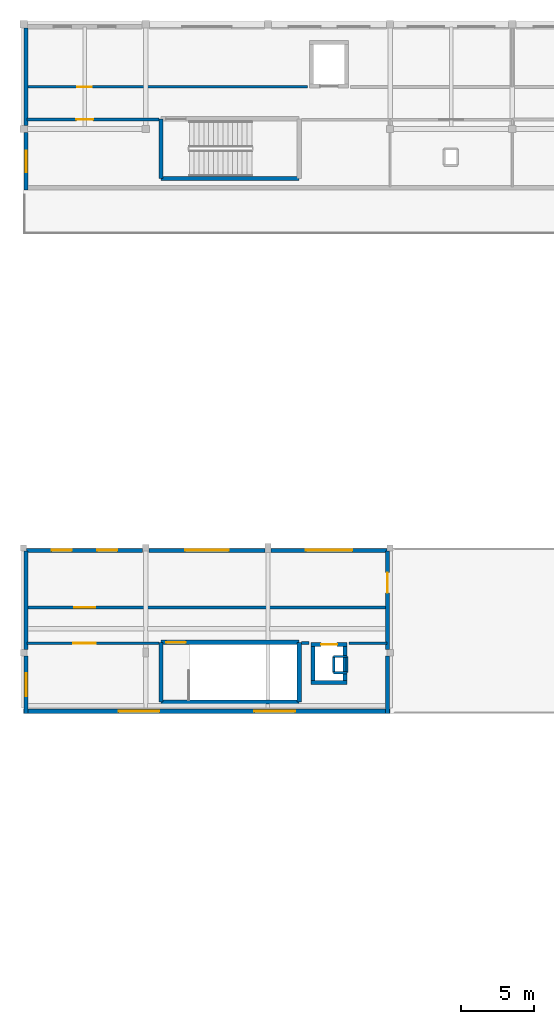
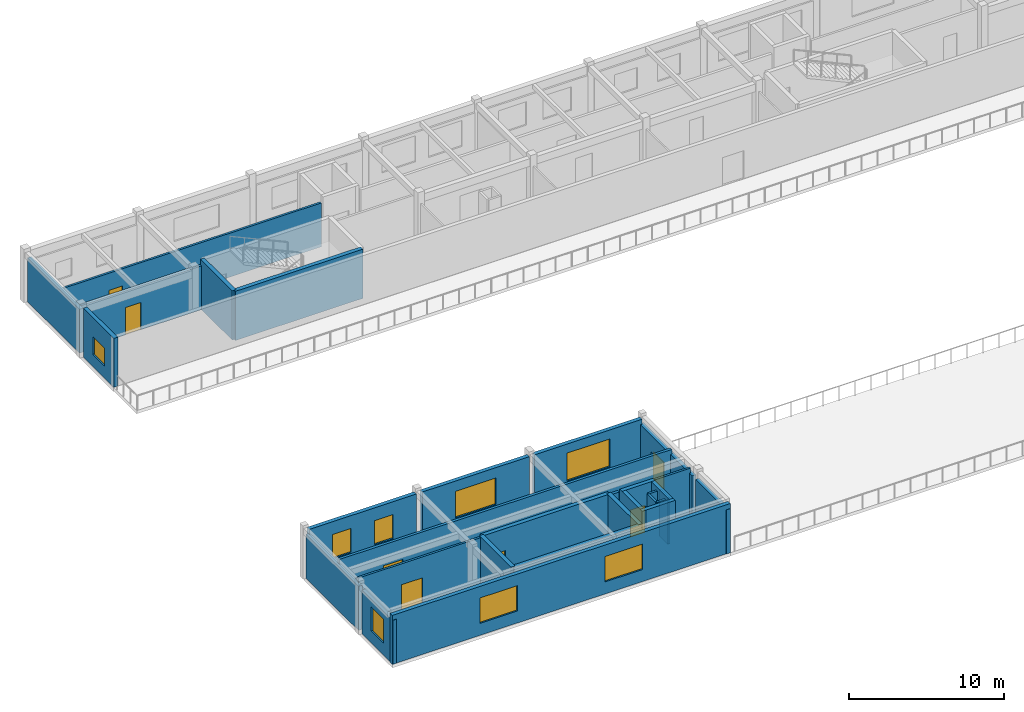
# One storey, part 4 of 14: 30 walls, 8 windows, 7 doors, 15 openings.
"""IFC4 building model written with IfcOpenShell, lengths in metres."""

from ifc_helpers import new_model, si_unit, direction, frame, frame_2d, origin, place, context, subcontext, project, spatial, rectangle, extrude, material, layer, layer_set, type_object, element, fill, save


model = new_model("IFC4")

# Units and contexts
model_context = context("Model", 3, precision=1e-05, world=origin(), true_north=direction((0.0, 1.0)))
body_context = subcontext(model_context, "Body", "Model", "MODEL_VIEW")
ifc_project = project(units=[si_unit("LENGTHUNIT", "METRE"), si_unit("AREAUNIT", "SQUARE_METRE"), si_unit("VOLUMEUNIT", "CUBIC_METRE"), si_unit("PLANEANGLEUNIT", "RADIAN"), si_unit("MASSUNIT", "GRAM", prefix="KILO")], contexts=[model_context])

# Site, building, storey
site_placement = place(None, origin())
site = spatial("IfcSite", under=ifc_project, at=site_placement, CompositionType="ELEMENT")
building_placement = place(site_placement, origin())
building = spatial("IfcBuilding", under=site, at=building_placement, Name="Malvenik Polytechnic", CompositionType="ELEMENT")
storey_placement = place(building_placement, frame((0.0, 0.0, 21.89990234375)))
storey = spatial("IfcBuildingStorey", under=building, at=storey_placement, Name="L05", CompositionType="ELEMENT", Elevation=21.89990234375)

# Wall
ifc_material_1 = material(Name="Concrete C35/45", Category="concrete")
ifc_layer_1 = layer(ifc_material_1, 0.280029296875)
ifc_layer_set_1 = layer_set([ifc_layer_1], Name="Concrete C35/45")
wall_type_1 = type_object("IfcWallType", Name="ARC-CW-S280", PredefinedType="SHEAR", material=ifc_layer_set_1)
wall_1_placement = place(storey_placement, frame((22.239990234375, 84.35009765625, 0.0), z_axis=(0.0, 0.0, 1.0), x_axis=(-1.0, 0.0, 0.0)))
element("IfcWall", 1, at=wall_1_placement, inside=storey, type_object=wall_type_1, Name="Lift Shaft Shear Wall LP-01 L05 -Y", PredefinedType="SHEAR", context=body_context, shape_type="SweptSolid", body=[
    extrude(rectangle(XDim=2.47998046875, YDim=0.280029296875, at=frame_2d((1.239990234375, 0.0))), origin(), (0.0, 0.0, 1.0), 3.940185546875),
])

# Wall, opening, door
wall_2_placement = place(storey_placement, frame((19.760009765625, 86.949951171875, 0.0), z_axis=(0.0, 0.0, 1.0), x_axis=(1.0, 0.0, 0.0)))
wall_2 = element("IfcWall", 2, at=wall_2_placement, inside=storey, type_object=wall_type_1, Name="Lift Shaft Shear Wall LP-01 L05 +Y", PredefinedType="SHEAR", context=body_context, shape_type="SweptSolid", body=[
    extrude(rectangle(XDim=2.47998046875, YDim=0.280029296875, at=frame_2d((1.239990234375, 0.0))), origin(), (0.0, 0.0, 1.0), 3.940185546875),
])
opening_1_placement = place(wall_2_placement, frame((0.68994140625, 0.0, 0.0)))
opening_1 = element("IfcOpeningElement", 3, at=opening_1_placement, cuts=wall_2, Name="Opening LD-01", PredefinedType="OPENING", context=body_context, shape_type="SweptSolid", body=[
    extrude(rectangle(XDim=1.10009765625, YDim=2.14990234375, at=frame_2d((0.550048828125, 1.074951171875))), frame((0.0, 0.14990234375, 0.0), z_axis=(0.0, -1.0, 0.0), x_axis=(1.0, 0.0, 0.0)), (0.0, 0.0, 1.0), 0.300048828125),
])
ifc_material_2 = material(Name="Stainless steel fire-rated sliding lift landing door", Category="steel")
door_type_1 = type_object("IfcDoorType", Name="ARC-LDR-LD-01", OperationType="NOTDEFINED", PredefinedType="DOOR", material=ifc_material_2)
door_1_placement = place(opening_1_placement, origin())
door_1 = element("IfcDoor", 4, at=door_1_placement, inside=storey, type_object=door_type_1, Name="Lift Sliding Landing Door LP-01 L05", OperationType="DOUBLE_DOOR_SLIDING", OverallHeight=2.14990234375, OverallWidth=1.10009765625, PredefinedType="DOOR", context=body_context, shape_type="SweptSolid", body=[
    extrude(rectangle(XDim=1.10009765625, YDim=2.14990234375, at=frame_2d((0.550048828125, 1.074951171875))), frame((0.0, 0.02490234375, 0.0), z_axis=(0.0, -1.0, 0.0), x_axis=(1.0, 0.0, 0.0)), (0.0, 0.0, 1.0), 0.050048828125),
])
fill(opening_1, door_1)

# Walls
for number, where, z_axis, x_axis, name in (
    (5, (19.89990234375, 84.2099609375, 0.0), (0.0, 0.0, 1.0), (0.0, 1.0, 0.0), "Lift Shaft Shear Wall LP-01 L05 -X"),
    (6, (22.10009765625, 87.090087890625, 0.0), (0.0, 0.0, 1.0), (0.0, -1.0, 0.0), "Lift Shaft Shear Wall LP-01 L05 +X"),
):
    element("IfcWall", number, at=place(storey_placement, frame(where, z_axis=z_axis, x_axis=x_axis)), inside=storey, type_object=wall_type_1, Name=name, PredefinedType="SHEAR", context=body_context, shape_type="SweptSolid", body=[
        extrude(rectangle(XDim=2.880126953125, YDim=0.280029296875, at=frame_2d((1.43994140625, 0.0))), origin(), (0.0, 0.0, 1.0), 3.940185546875),
    ])
ifc_layer_2 = layer(ifc_material_1, 0.300048828125)
ifc_layer_set_2 = layer_set([ifc_layer_2], Name="Concrete C35/45")
wall_type_2 = type_object("IfcWallType", Name="ARC-CW-S300", PredefinedType="SHEAR", material=ifc_layer_set_2)
wall_3_placement = place(storey_placement, frame((9.449951171875, 119.0, 0.0), z_axis=(0.0, 0.0, 1.0), x_axis=(0.0, 1.0, 0.0)))
element("IfcWall", 7, at=wall_3_placement, inside=storey, type_object=wall_type_2, Name="Stair Core Shear Wall ST-01 L05 NEAR", PredefinedType="SHEAR", context=body_context, shape_type="SweptSolid", body=[
    extrude(rectangle(XDim=4.10009765625, YDim=0.300048828125, at=frame_2d((2.050048828125, 0.0))), origin(), (0.0, 0.0, 1.0), 3.880126953125),
])
wall_4_placement = place(storey_placement, frame((18.949951171875, 119.0, 0.0), z_axis=(0.0, 0.0, 1.0), x_axis=(-1.0, 0.0, 0.0)))
element("IfcWall", 8, at=wall_4_placement, inside=storey, type_object=wall_type_2, Name="Stair Core Shear Wall ST-01 L05 LEFT", PredefinedType="SHEAR", context=body_context, shape_type="SweptSolid", body=[
    extrude(rectangle(XDim=9.5, YDim=0.300048828125, at=frame_2d((4.75, 0.0))), origin(), (0.0, 0.0, 1.0), 3.880126953125),
])
wall_5_placement = place(storey_placement, frame((9.449951171875, 83.0, 0.0), z_axis=(0.0, 0.0, 1.0), x_axis=(0.0, 1.0, 0.0)))
element("IfcWall", 9, at=wall_5_placement, inside=storey, type_object=wall_type_2, Name="Stair Core Shear Wall ST-04 L05 NEAR", PredefinedType="SHEAR", context=body_context, shape_type="SweptSolid", body=[
    extrude(rectangle(XDim=4.10009765625, YDim=0.300048828125, at=frame_2d((2.050048828125, 0.0))), origin(), (0.0, 0.0, 1.0), 3.940185546875),
])

# Wall, opening, door
wall_6_placement = place(storey_placement, frame((9.449951171875, 87.10009765625, 0.0), z_axis=(0.0, 0.0, 1.0), x_axis=(1.0, 0.0, 0.0)))
wall_6 = element("IfcWall", 10, at=wall_6_placement, inside=storey, type_object=wall_type_2, Name="Stair Core Shear Wall ST-04 L05 RGHT", PredefinedType="SHEAR", context=body_context, shape_type="SweptSolid", body=[
    extrude(rectangle(XDim=9.5, YDim=0.300048828125, at=frame_2d((4.75, 0.0))), origin(), (0.0, 0.0, 1.0), 3.940185546875),
])
opening_2_placement = place(wall_6_placement, frame((0.35009765625, 0.0, 0.0)))
opening_2 = element("IfcOpeningElement", 11, at=opening_2_placement, cuts=wall_6, Name="Opening SD-01", PredefinedType="OPENING", context=body_context, shape_type="SweptSolid", body=[
    extrude(rectangle(XDim=1.35009765625, YDim=2.199951171875, at=frame_2d((0.675048828125, 1.10009765625))), frame((0.0, 0.16015625, 0.0), z_axis=(0.0, -1.0, 0.0), x_axis=(1.0, 0.0, 0.0)), (0.0, 0.0, 1.0), 0.320068359375),
])
ifc_material_3 = material(Name="Fire-rated steel stair enclosure door", Category="steel")
door_type_2 = type_object("IfcDoorType", Name="ARC-IDR-SD-01", OperationType="NOTDEFINED", PredefinedType="DOOR", material=ifc_material_3)
door_2_placement = place(opening_2_placement, origin())
door_2 = element("IfcDoor", 12, at=door_2_placement, inside=storey, type_object=door_type_2, Name="Fire Stair Door ST-04 L05", OperationType="SINGLE_SWING_RIGHT", OverallHeight=2.199951171875, OverallWidth=1.35009765625, PredefinedType="DOOR", context=body_context, shape_type="SweptSolid", body=[
    extrude(rectangle(XDim=1.35009765625, YDim=2.199951171875, at=frame_2d((0.675048828125, 1.10009765625))), frame((0.0, 0.02490234375, 0.0), z_axis=(0.0, -1.0, 0.0), x_axis=(1.0, 0.0, 0.0)), (0.0, 0.0, 1.0), 0.050048828125),
])
fill(opening_2, door_2)

# Walls
wall_7_placement = place(storey_placement, frame((18.949951171875, 87.10009765625, 0.0), z_axis=(0.0, 0.0, 1.0), x_axis=(0.0, -1.0, 0.0)))
element("IfcWall", 13, at=wall_7_placement, inside=storey, type_object=wall_type_2, Name="Stair Core Shear Wall ST-04 L05 FAR", PredefinedType="SHEAR", context=body_context, shape_type="SweptSolid", body=[
    extrude(rectangle(XDim=4.10009765625, YDim=0.300048828125, at=frame_2d((2.050048828125, 0.0))), origin(), (0.0, 0.0, 1.0), 3.940185546875),
])
wall_8_placement = place(storey_placement, frame((18.949951171875, 83.0, 0.0), z_axis=(0.0, 0.0, 1.0), x_axis=(-1.0, 0.0, 0.0)))
element("IfcWall", 14, at=wall_8_placement, inside=storey, type_object=wall_type_2, Name="Stair Core Shear Wall ST-04 L05 LEFT", PredefinedType="SHEAR", context=body_context, shape_type="SweptSolid", body=[
    extrude(rectangle(XDim=9.5, YDim=0.300048828125, at=frame_2d((4.75, 0.0))), origin(), (0.0, 0.0, 1.0), 3.940185546875),
])

# Wall, opening, window
ifc_material_4 = material(Name="Brick masonry M15", Category="masonry")
ifc_layer_3 = layer(ifc_material_4, 0.2900390625)
ifc_layer_set_3 = layer_set([ifc_layer_3], Name="Brick masonry M15")
wall_type_3 = type_object("IfcWallType", Name="ARC-EW-290", PredefinedType="SOLIDWALL", material=ifc_layer_set_3)
wall_9_placement = place(storey_placement, frame((0.169921875, 118.199951171875, 0.0), z_axis=(0.0, 0.0, 1.0), x_axis=(0.0, 1.0, 0.0)))
wall_9 = element("IfcWall", 15, at=wall_9_placement, inside=storey, type_object=wall_type_3, Name="External Facade Wall EW-04 L05 #467", PredefinedType="SOLIDWALL", context=body_context, shape_type="SweptSolid", body=[
    extrude(rectangle(XDim=3.9521484375, YDim=0.2900390625, at=frame_2d((1.97607421875, 0.0))), origin(), (0.0, 0.0, 1.0), 3.860107421875),
])
opening_3_placement = place(wall_9_placement, frame((1.22607421875, 0.0, 0.949951171875)))
opening_3 = element("IfcOpeningElement", 16, at=opening_3_placement, cuts=wall_9, Name="Opening W-15", PredefinedType="OPENING", context=body_context, shape_type="SweptSolid", body=[
    extrude(rectangle(XDim=1.5, YDim=1.39990234375, at=frame_2d((0.75, 0.699951171875))), frame((0.0, 0.155029296875, 0.0), z_axis=(0.0, -1.0, 0.0), x_axis=(1.0, 0.0, 0.0)), (0.0, 0.0, 1.0), 0.31005859375),
])
ifc_material_5 = material(Name="Thermally broken aluminium frame with low-E double glazing", Category="aluminium")
window_type_1 = type_object("IfcWindowType", Name="ARC-WIN-W-15", PartitioningType="SINGLE_PANEL", PredefinedType="WINDOW", material=ifc_material_5)
window_1_placement = place(opening_3_placement, origin())
window_1 = element("IfcWindow", 17, at=window_1_placement, inside=storey, type_object=window_type_1, Name="Punched Window W-15 L05 #496", OverallHeight=1.39990234375, OverallWidth=1.5, PartitioningType="SINGLE_PANEL", PredefinedType="WINDOW", context=body_context, shape_type="SweptSolid", body=[
    extrude(rectangle(XDim=1.5, YDim=1.39990234375, at=frame_2d((0.75, 0.699951171875))), frame((0.0, 0.030029296875, 0.0), z_axis=(0.0, -1.0, 0.0), x_axis=(1.0, 0.0, 0.0)), (0.0, 0.0, 1.0), 0.06005859375),
])
fill(opening_3, window_1)

# Wall
wall_10_placement = place(storey_placement, frame((0.169921875, 122.64794921875, 0.0), z_axis=(0.0, 0.0, 1.0), x_axis=(0.0, 1.0, 0.0)))
element("IfcWall", 18, at=wall_10_placement, inside=storey, type_object=wall_type_3, Name="External Facade Wall EW-04 L05 #468", PredefinedType="SOLIDWALL", context=body_context, shape_type="SweptSolid", body=[
    extrude(rectangle(XDim=6.7041015625, YDim=0.2900390625, at=frame_2d((3.35205078125, 0.0))), origin(), (0.0, 0.0, 1.0), 3.460205078125),
])

# Wall, opening, window
wall_11_placement = place(storey_placement, frame((0.169921875, 82.199951171875, 0.0), z_axis=(0.0, 0.0, 1.0), x_axis=(0.0, 1.0, 0.0)))
wall_11 = element("IfcWall", 19, at=wall_11_placement, inside=storey, type_object=wall_type_3, Name="External Facade Wall EW-04 L05 #483", PredefinedType="SOLIDWALL", context=body_context, shape_type="SweptSolid", body=[
    extrude(rectangle(XDim=3.97705078125, YDim=0.2900390625, at=frame_2d((1.988525390625, 0.0))), origin(), (0.0, 0.0, 1.0), 3.47509765625),
])
opening_4_placement = place(wall_11_placement, frame((1.1884765625, 0.0, 0.949951171875)))
opening_4 = element("IfcOpeningElement", 20, at=opening_4_placement, cuts=wall_11, Name="Opening W-05", PredefinedType="OPENING", context=body_context, shape_type="SweptSolid", body=[
    extrude(rectangle(XDim=1.60009765625, YDim=1.89990234375, at=frame_2d((0.800048828125, 0.949951171875))), frame((0.0, 0.155029296875, 0.0), z_axis=(0.0, -1.0, 0.0), x_axis=(1.0, 0.0, 0.0)), (0.0, 0.0, 1.0), 0.31005859375),
])
window_type_2 = type_object("IfcWindowType", Name="ARC-WIN-W-05", PartitioningType="SINGLE_PANEL", PredefinedType="WINDOW", material=ifc_material_5)
window_2_placement = place(opening_4_placement, origin())
window_2 = element("IfcWindow", 21, at=window_2_placement, inside=storey, type_object=window_type_2, Name="Punched Window W-05 L05 #518", OverallHeight=1.89990234375, OverallWidth=1.60009765625, PartitioningType="SINGLE_PANEL", PredefinedType="WINDOW", context=body_context, shape_type="SweptSolid", body=[
    extrude(rectangle(XDim=1.60009765625, YDim=1.89990234375, at=frame_2d((0.800048828125, 0.949951171875))), frame((0.0, 0.030029296875, 0.0), z_axis=(0.0, -1.0, 0.0), x_axis=(1.0, 0.0, 0.0)), (0.0, 0.0, 1.0), 0.06005859375),
])
fill(opening_4, window_2)

# Wall
wall_12_placement = place(storey_placement, frame((0.169921875, 86.623046875, 0.0), z_axis=(0.0, 0.0, 1.0), x_axis=(0.0, 1.0, 0.0)))
element("IfcWall", 22, at=wall_12_placement, inside=storey, type_object=wall_type_3, Name="External Facade Wall EW-04 L05 #484", PredefinedType="SOLIDWALL", context=body_context, shape_type="SweptSolid", body=[
    extrude(rectangle(XDim=6.779052734375, YDim=0.2900390625, at=frame_2d((3.3896484375, 0.0))), origin(), (0.0, 0.0, 1.0), 3.47509765625),
])

# Wall, openings, windows
wall_13_placement = place(storey_placement, frame((0.197998046875, 93.429931640625, 0.0), z_axis=(0.0, 0.0, 1.0), x_axis=(1.0, 0.0, 0.0)))
wall_13 = element("IfcWall", 23, at=wall_13_placement, inside=storey, type_object=wall_type_3, Name="External Facade Wall EW-04 L05 #485", PredefinedType="SOLIDWALL", context=body_context, shape_type="SweptSolid", body=[
    extrude(rectangle(XDim=7.97900390625, YDim=0.2900390625, at=frame_2d((3.989501953125, 0.0))), origin(), (0.0, 0.0, 1.0), 3.860107421875),
])
opening_5_placement = place(wall_13_placement, frame((1.726318359375, 0.0, 0.949951171875)))
opening_5 = element("IfcOpeningElement", 24, at=opening_5_placement, cuts=wall_13, Name="Opening W-06", PredefinedType="OPENING", context=body_context, shape_type="SweptSolid", body=[
    extrude(rectangle(XDim=1.39990234375, YDim=1.89990234375, at=frame_2d((0.699951171875, 0.949951171875))), frame((0.0, 0.155029296875, 0.0), z_axis=(0.0, -1.0, 0.0), x_axis=(1.0, 0.0, 0.0)), (0.0, 0.0, 1.0), 0.31005859375),
])
opening_6_placement = place(wall_13_placement, frame((4.8525390625, 0.0, 0.949951171875)))
opening_6 = element("IfcOpeningElement", 25, at=opening_6_placement, cuts=wall_13, Name="Opening W-06", PredefinedType="OPENING", context=body_context, shape_type="SweptSolid", body=[
    extrude(rectangle(XDim=1.39990234375, YDim=1.89990234375, at=frame_2d((0.699951171875, 0.949951171875))), frame((0.0, 0.155029296875, 0.0), z_axis=(0.0, -1.0, 0.0), x_axis=(1.0, 0.0, 0.0)), (0.0, 0.0, 1.0), 0.31005859375),
])
window_type_3 = type_object("IfcWindowType", Name="ARC-WIN-W-06", PartitioningType="SINGLE_PANEL", PredefinedType="WINDOW", material=ifc_material_5)
window_3_placement = place(opening_5_placement, origin())
window_3 = element("IfcWindow", 26, at=window_3_placement, inside=storey, type_object=window_type_3, Name="Punched Window W-06 L05 #519", OverallHeight=1.89990234375, OverallWidth=1.39990234375, PartitioningType="SINGLE_PANEL", PredefinedType="WINDOW", context=body_context, shape_type="SweptSolid", body=[
    extrude(rectangle(XDim=1.39990234375, YDim=1.89990234375, at=frame_2d((0.699951171875, 0.949951171875))), frame((0.0, 0.030029296875, 0.0), z_axis=(0.0, -1.0, 0.0), x_axis=(1.0, 0.0, 0.0)), (0.0, 0.0, 1.0), 0.06005859375),
])
fill(opening_5, window_3)
window_4_placement = place(opening_6_placement, origin())
window_4 = element("IfcWindow", 27, at=window_4_placement, inside=storey, type_object=window_type_3, Name="Punched Window W-06 L05 #520", OverallHeight=1.89990234375, OverallWidth=1.39990234375, PartitioningType="SINGLE_PANEL", PredefinedType="WINDOW", context=body_context, shape_type="SweptSolid", body=[
    extrude(rectangle(XDim=1.39990234375, YDim=1.89990234375, at=frame_2d((0.699951171875, 0.949951171875))), frame((0.0, 0.030029296875, 0.0), z_axis=(0.0, -1.0, 0.0), x_axis=(1.0, 0.0, 0.0)), (0.0, 0.0, 1.0), 0.06005859375),
])
fill(opening_6, window_4)

# Wall, opening, window
wall_14_placement = place(storey_placement, frame((8.623046875, 93.429931640625, 0.0), z_axis=(0.0, 0.0, 1.0), x_axis=(1.0, 0.0, 0.0)))
wall_14 = element("IfcWall", 28, at=wall_14_placement, inside=storey, type_object=wall_type_3, Name="External Facade Wall EW-04 L05 #486", PredefinedType="SOLIDWALL", context=body_context, shape_type="SweptSolid", body=[
    extrude(rectangle(XDim=7.97900390625, YDim=0.2900390625, at=frame_2d((3.989501953125, 0.0))), origin(), (0.0, 0.0, 1.0), 3.860107421875),
])
opening_7_placement = place(wall_14_placement, frame((2.489501953125, 0.0, 0.949951171875)))
opening_7 = element("IfcOpeningElement", 29, at=opening_7_placement, cuts=wall_14, Name="Opening W-08", PredefinedType="OPENING", context=body_context, shape_type="SweptSolid", body=[
    extrude(rectangle(XDim=3.0, YDim=2.10009765625, at=frame_2d((1.5, 1.050048828125))), frame((0.0, 0.155029296875, 0.0), z_axis=(0.0, -1.0, 0.0), x_axis=(1.0, 0.0, 0.0)), (0.0, 0.0, 1.0), 0.31005859375),
])
window_type_4 = type_object("IfcWindowType", Name="ARC-WIN-W-08", PartitioningType="SINGLE_PANEL", PredefinedType="WINDOW", material=ifc_material_5)
window_5_placement = place(opening_7_placement, origin())
window_5 = element("IfcWindow", 30, at=window_5_placement, inside=storey, type_object=window_type_4, Name="Punched Window W-08 L05 #521", OverallHeight=2.10009765625, OverallWidth=3.0, PartitioningType="SINGLE_PANEL", PredefinedType="WINDOW", context=body_context, shape_type="SweptSolid", body=[
    extrude(rectangle(XDim=3.0, YDim=2.10009765625, at=frame_2d((1.5, 1.050048828125))), frame((0.0, 0.030029296875, 0.0), z_axis=(0.0, -1.0, 0.0), x_axis=(1.0, 0.0, 0.0)), (0.0, 0.0, 1.0), 0.06005859375),
])
fill(opening_7, window_5)

wall_15_placement = place(storey_placement, frame((16.998046875, 93.429931640625, 0.0), z_axis=(0.0, 0.0, 1.0), x_axis=(1.0, 0.0, 0.0)))
wall_15 = element("IfcWall", 31, at=wall_15_placement, inside=storey, type_object=wall_type_3, Name="External Facade Wall EW-04 L05 #487", PredefinedType="SOLIDWALL", context=body_context, shape_type="SweptSolid", body=[
    extrude(rectangle(XDim=8.00390625, YDim=0.2900390625, at=frame_2d((4.001953125, 0.0))), origin(), (0.0, 0.0, 1.0), 3.860107421875),
])
opening_8_placement = place(wall_15_placement, frame((2.402099609375, 0.0, 0.949951171875)))
opening_8 = element("IfcOpeningElement", 32, at=opening_8_placement, cuts=wall_15, Name="Opening W-09", PredefinedType="OPENING", context=body_context, shape_type="SweptSolid", body=[
    extrude(rectangle(XDim=3.199951171875, YDim=2.199951171875, at=frame_2d((1.60009765625, 1.10009765625))), frame((0.0, 0.155029296875, 0.0), z_axis=(0.0, -1.0, 0.0), x_axis=(1.0, 0.0, 0.0)), (0.0, 0.0, 1.0), 0.31005859375),
])
window_type_5 = type_object("IfcWindowType", Name="ARC-WIN-W-09", PartitioningType="SINGLE_PANEL", PredefinedType="WINDOW", material=ifc_material_5)
window_6_placement = place(opening_8_placement, origin())
window_6 = element("IfcWindow", 33, at=window_6_placement, inside=storey, type_object=window_type_5, Name="Punched Window W-09 L05 #522", OverallHeight=2.199951171875, OverallWidth=3.199951171875, PartitioningType="SINGLE_PANEL", PredefinedType="WINDOW", context=body_context, shape_type="SweptSolid", body=[
    extrude(rectangle(XDim=3.199951171875, YDim=2.199951171875, at=frame_2d((1.60009765625, 1.10009765625))), frame((0.0, 0.030029296875, 0.0), z_axis=(0.0, -1.0, 0.0), x_axis=(1.0, 0.0, 0.0)), (0.0, 0.0, 1.0), 0.06005859375),
])
fill(opening_8, window_6)

# Wall, opening, door
wall_16_placement = place(storey_placement, frame((25.030029296875, 93.402099609375, 0.0), z_axis=(0.0, 0.0, 1.0), x_axis=(0.0, -1.0, 0.0)))
wall_16 = element("IfcWall", 34, at=wall_16_placement, inside=storey, type_object=wall_type_3, Name="External Facade Wall EW-04 L05 #488", PredefinedType="SOLIDWALL", context=body_context, shape_type="SweptSolid", body=[
    extrude(rectangle(XDim=6.779052734375, YDim=0.2900390625, at=frame_2d((3.3896484375, 0.0))), origin(), (0.0, 0.0, 1.0), 3.47509765625),
])
opening_9_placement = place(wall_16_placement, frame((1.501953125, 0.0, 0.0)))
opening_9 = element("IfcOpeningElement", 35, at=opening_9_placement, cuts=wall_16, Name="Opening TD-03", PredefinedType="OPENING", context=body_context, shape_type="SweptSolid", body=[
    extrude(rectangle(XDim=1.39990234375, YDim=2.14990234375, at=frame_2d((0.699951171875, 1.074951171875))), frame((0.0, 0.155029296875, 0.0), z_axis=(0.0, -1.0, 0.0), x_axis=(1.0, 0.0, 0.0)), (0.0, 0.0, 1.0), 0.31005859375),
])
ifc_material_6 = material(Name="Thermally broken glazed aluminium balcony door", Category="aluminium")
door_type_3 = type_object("IfcDoorType", Name="ARC-EDR-TD-03", OperationType="NOTDEFINED", PredefinedType="DOOR", material=ifc_material_6)
door_3_placement = place(opening_9_placement, origin())
door_3 = element("IfcDoor", 36, at=door_3_placement, inside=storey, type_object=door_type_3, Name="External Door TD-03 L05 #49", OperationType="SINGLE_SWING_LEFT", OverallHeight=2.14990234375, OverallWidth=1.39990234375, PredefinedType="DOOR", context=body_context, shape_type="SweptSolid", body=[
    extrude(rectangle(XDim=1.39990234375, YDim=2.14990234375, at=frame_2d((0.699951171875, 1.074951171875))), frame((0.0, 0.02490234375, 0.0), z_axis=(0.0, -1.0, 0.0), x_axis=(1.0, 0.0, 0.0)), (0.0, 0.0, 1.0), 0.050048828125),
])
fill(opening_9, door_3)

# Wall
wall_17_placement = place(storey_placement, frame((25.030029296875, 86.177001953125, 0.0), z_axis=(0.0, 0.0, 1.0), x_axis=(0.0, -1.0, 0.0)))
element("IfcWall", 37, at=wall_17_placement, inside=storey, type_object=wall_type_3, Name="External Facade Wall EW-04 L05 #489", PredefinedType="SOLIDWALL", context=body_context, shape_type="SweptSolid", body=[
    extrude(rectangle(XDim=3.97705078125, YDim=0.2900390625, at=frame_2d((1.988525390625, 0.0))), origin(), (0.0, 0.0, 1.0), 3.47509765625),
])

# Wall, openings, windows
wall_18_placement = place(storey_placement, frame((25.199951171875, 82.3701171875, 0.0), z_axis=(0.0, 0.0, 1.0), x_axis=(-1.0, 0.0, 0.0)))
wall_18 = element("IfcWall", 38, at=wall_18_placement, inside=storey, type_object=wall_type_3, Name="External Facade Wall EW-04 L05 #490", PredefinedType="SOLIDWALL", context=body_context, shape_type="SweptSolid", body=[
    extrude(rectangle(XDim=25.199951171875, YDim=0.2900390625, at=frame_2d((12.60009765625, 0.0))), origin(), (0.0, 0.0, 1.0), 3.860107421875),
])
opening_10_placement = place(wall_18_placement, frame((6.533203125, 0.0, 0.949951171875)))
opening_10 = element("IfcOpeningElement", 39, at=opening_10_placement, cuts=wall_18, Name="Opening W-10", PredefinedType="OPENING", context=body_context, shape_type="SweptSolid", body=[
    extrude(rectangle(XDim=2.800048828125, YDim=2.0, at=frame_2d((1.39990234375, 1.0))), frame((0.0, 0.155029296875, 0.0), z_axis=(0.0, -1.0, 0.0), x_axis=(1.0, 0.0, 0.0)), (0.0, 0.0, 1.0), 0.31005859375),
])
opening_11_placement = place(wall_18_placement, frame((15.86669921875, 0.0, 0.949951171875)))
opening_11 = element("IfcOpeningElement", 40, at=opening_11_placement, cuts=wall_18, Name="Opening W-10", PredefinedType="OPENING", context=body_context, shape_type="SweptSolid", body=[
    extrude(rectangle(XDim=2.800048828125, YDim=2.0, at=frame_2d((1.39990234375, 1.0))), frame((0.0, 0.155029296875, 0.0), z_axis=(0.0, -1.0, 0.0), x_axis=(1.0, 0.0, 0.0)), (0.0, 0.0, 1.0), 0.31005859375),
])
window_type_6 = type_object("IfcWindowType", Name="ARC-WIN-W-10", PartitioningType="SINGLE_PANEL", PredefinedType="WINDOW", material=ifc_material_5)
window_7_placement = place(opening_10_placement, origin())
window_7 = element("IfcWindow", 41, at=window_7_placement, inside=storey, type_object=window_type_6, Name="Punched Window W-10 L05 #523", OverallHeight=2.0, OverallWidth=2.800048828125, PartitioningType="SINGLE_PANEL", PredefinedType="WINDOW", context=body_context, shape_type="SweptSolid", body=[
    extrude(rectangle(XDim=2.800048828125, YDim=2.0, at=frame_2d((1.39990234375, 1.0))), frame((0.0, 0.030029296875, 0.0), z_axis=(0.0, -1.0, 0.0), x_axis=(1.0, 0.0, 0.0)), (0.0, 0.0, 1.0), 0.06005859375),
])
fill(opening_10, window_7)
window_8_placement = place(opening_11_placement, origin())
window_8 = element("IfcWindow", 42, at=window_8_placement, inside=storey, type_object=window_type_6, Name="Punched Window W-10 L05 #524", OverallHeight=2.0, OverallWidth=2.800048828125, PartitioningType="SINGLE_PANEL", PredefinedType="WINDOW", context=body_context, shape_type="SweptSolid", body=[
    extrude(rectangle(XDim=2.800048828125, YDim=2.0, at=frame_2d((1.39990234375, 1.0))), frame((0.0, 0.030029296875, 0.0), z_axis=(0.0, -1.0, 0.0), x_axis=(1.0, 0.0, 0.0)), (0.0, 0.0, 1.0), 0.06005859375),
])
fill(opening_11, window_8)

# Wall, opening, door
ifc_material_7 = material(Name="Calcium silicate fire-rated blockwork 200mm", Category="masonry")
ifc_layer_4 = layer(ifc_material_7, 0.199951171875)
ifc_layer_set_4 = layer_set([ifc_layer_4], Name="Calcium silicate fire-rated blockwork 200mm")
wall_type_4 = type_object("IfcWallType", Name="ARC-FW-200", PredefinedType="SOLIDWALL", material=ifc_layer_set_4)
wall_19_placement = place(storey_placement, frame((9.31005859375, 123.050048828125, 0.0), z_axis=(0.0, 0.0, 1.0), x_axis=(-1.0, 0.0, 0.0)))
wall_19 = element("IfcWall", 43, at=wall_19_placement, inside=storey, type_object=wall_type_4, Name="Interior Partition FW-02 L05 #400", PredefinedType="SOLIDWALL", context=body_context, shape_type="SweptSolid", body=[
    extrude(rectangle(XDim=9.090087890625, YDim=0.199951171875, at=frame_2d((4.544921875, 0.0))), origin(), (0.0, 0.0, 1.0), 3.455078125),
])
opening_12_placement = place(wall_19_placement, frame((4.534912109375, 0.0, 0.0)))
opening_12 = element("IfcOpeningElement", 44, at=opening_12_placement, cuts=wall_19, Name="Opening FD-01", PredefinedType="OPENING", context=body_context, shape_type="SweptSolid", body=[
    extrude(rectangle(XDim=1.14990234375, YDim=2.14990234375, at=frame_2d((0.574951171875, 1.074951171875))), frame((0.0, 0.10986328125, 0.0), z_axis=(0.0, -1.0, 0.0), x_axis=(1.0, 0.0, 0.0)), (0.0, 0.0, 1.0), 0.219970703125),
])
ifc_material_8 = material(Name="Fire-rated timber acoustic corridor door", Category="wood")
door_type_4 = type_object("IfcDoorType", Name="ARC-IDR-FD-01", OperationType="NOTDEFINED", PredefinedType="DOOR", material=ifc_material_8)
door_4_placement = place(opening_12_placement, origin())
door_4 = element("IfcDoor", 45, at=door_4_placement, inside=storey, type_object=door_type_4, Name="Interior Door FD-01 L05 #168", OperationType="SINGLE_SWING_LEFT", OverallHeight=2.14990234375, OverallWidth=1.14990234375, PredefinedType="DOOR", context=body_context, shape_type="SweptSolid", body=[
    extrude(rectangle(XDim=1.14990234375, YDim=2.14990234375, at=frame_2d((0.574951171875, 1.074951171875))), frame((0.0, 0.02490234375, 0.0), z_axis=(0.0, -1.0, 0.0), x_axis=(1.0, 0.0, 0.0)), (0.0, 0.0, 1.0), 0.050048828125),
])
fill(opening_12, door_4)

wall_20_placement = place(storey_placement, frame((0.219970703125, 89.5, 0.0), z_axis=(0.0, 0.0, 1.0), x_axis=(1.0, 0.0, 0.0)))
wall_20 = element("IfcWall", 46, at=wall_20_placement, inside=storey, type_object=wall_type_4, Name="Interior Partition FW-02 L05 #414", PredefinedType="SOLIDWALL", context=body_context, shape_type="SweptSolid", body=[
    extrude(rectangle(XDim=24.760009765625, YDim=0.199951171875, at=frame_2d((12.3798828125, 0.0))), origin(), (0.0, 0.0, 1.0), 3.85009765625),
])
opening_13_placement = place(wall_20_placement, frame((3.2548828125, 0.0, 0.0)))
opening_13 = element("IfcOpeningElement", 47, at=opening_13_placement, cuts=wall_20, Name="Opening FD-08", PredefinedType="OPENING", context=body_context, shape_type="SweptSolid", body=[
    extrude(rectangle(XDim=1.449951171875, YDim=2.199951171875, at=frame_2d((0.72509765625, 1.10009765625))), frame((0.0, 0.10986328125, 0.0), z_axis=(0.0, -1.0, 0.0), x_axis=(1.0, 0.0, 0.0)), (0.0, 0.0, 1.0), 0.219970703125),
])
ifc_material_9 = material(Name="Fire-rated seminar corridor door", Category="steel")
door_type_5 = type_object("IfcDoorType", Name="ARC-IDR-FD-08", OperationType="NOTDEFINED", PredefinedType="DOOR", material=ifc_material_9)
door_5_placement = place(opening_13_placement, origin())
door_5 = element("IfcDoor", 48, at=door_5_placement, inside=storey, type_object=door_type_5, Name="Interior Door FD-08 L05 #173", OperationType="SINGLE_SWING_LEFT", OverallHeight=2.199951171875, OverallWidth=1.449951171875, PredefinedType="DOOR", context=body_context, shape_type="SweptSolid", body=[
    extrude(rectangle(XDim=1.449951171875, YDim=2.199951171875, at=frame_2d((0.72509765625, 1.10009765625))), frame((0.0, 0.02490234375, 0.0), z_axis=(0.0, -1.0, 0.0), x_axis=(1.0, 0.0, 0.0)), (0.0, 0.0, 1.0), 0.050048828125),
])
fill(opening_13, door_5)

# Walls
wall_21_placement = place(storey_placement, frame((19.6298828125, 87.050048828125, 0.0), z_axis=(0.0, 0.0, 1.0), x_axis=(-1.0, 0.0, 0.0)))
element("IfcWall", 49, at=wall_21_placement, inside=storey, type_object=wall_type_4, Name="Interior Partition FW-02 L05 #416", PredefinedType="SOLIDWALL", context=body_context, shape_type="SweptSolid", body=[
    extrude(rectangle(XDim=0.539794921875, YDim=0.199951171875, at=frame_2d((0.27001953125, 0.0))), origin(), (0.0, 0.0, 1.0), 3.85009765625),
])
ifc_material_10 = material(Name="Double-stud acoustic gypsum board partition 160mm", Category="gypsum")
ifc_layer_5 = layer(ifc_material_10, 0.159912109375)
ifc_layer_set_5 = layer_set([ifc_layer_5], Name="Double-stud acoustic gypsum board partition 160mm")
wall_type_5 = type_object("IfcWallType", Name="ARC-PW-160", PredefinedType="PARTITIONING", material=ifc_layer_set_5)
for number, where, z_axis, x_axis, name in (
    (50, (21.320068359375, 85.02001953125, 0.0), (0.0, 0.0, 1.0), (1.0, 0.0, 0.0), "Riser Shaft Enclosure L05 #53S"),
    (51, (22.22998046875, 86.1298828125, 0.0), (0.0, 0.0, 1.0), (-1.0, 0.0, 0.0), "Riser Shaft Enclosure L05 #53N"),
):
    element("IfcWall", number, at=place(storey_placement, frame(where, z_axis=z_axis, x_axis=x_axis)), inside=storey, type_object=wall_type_5, Name=name, PredefinedType="PARTITIONING", context=body_context, shape_type="SweptSolid", body=[
        extrude(rectangle(XDim=0.909912109375, YDim=0.159912109375, at=frame_2d((0.455078125, 0.0))), origin(), (0.0, 0.0, 1.0), 3.650146484375),
    ])
for number, where, z_axis, x_axis, name in (
    (52, (21.320068359375, 86.1298828125, 0.0), (0.0, 0.0, 1.0), (0.0, -1.0, 0.0), "Riser Shaft Enclosure L05 #53W"),
    (53, (22.22998046875, 85.02001953125, 0.0), (0.0, 0.0, 1.0), (0.0, 1.0, 0.0), "Riser Shaft Enclosure L05 #53E"),
):
    element("IfcWall", number, at=place(storey_placement, frame(where, z_axis=z_axis, x_axis=x_axis)), inside=storey, type_object=wall_type_5, Name=name, PredefinedType="PARTITIONING", context=body_context, shape_type="SweptSolid", body=[
        extrude(rectangle(XDim=1.10986328125, YDim=0.159912109375, at=frame_2d((0.554931640625, 0.0))), origin(), (0.0, 0.0, 1.0), 3.650146484375),
    ])

# Wall, opening, door
wall_22_placement = place(storey_placement, frame((0.219970703125, 125.300048828125, 0.0), z_axis=(0.0, 0.0, 1.0), x_axis=(1.0, 0.0, 0.0)))
wall_22 = element("IfcWall", 54, at=wall_22_placement, inside=storey, type_object=wall_type_5, Name="Interior Partition PW-01I L05 #389", PredefinedType="PARTITIONING", context=body_context, shape_type="SweptSolid", body=[
    extrude(rectangle(XDim=19.31005859375, YDim=0.159912109375, at=frame_2d((9.655029296875, 0.0))), origin(), (0.0, 0.0, 1.0), 3.455078125),
])
opening_14_placement = place(wall_22_placement, frame((3.47998046875, 0.0, 0.0)))
opening_14 = element("IfcOpeningElement", 55, at=opening_14_placement, cuts=wall_22, Name="Opening FD-07", PredefinedType="OPENING", context=body_context, shape_type="SweptSolid", body=[
    extrude(rectangle(XDim=1.0, YDim=2.10009765625, at=frame_2d((0.5, 1.050048828125))), frame((0.0, 0.08984375, 0.0), z_axis=(0.0, -1.0, 0.0), x_axis=(1.0, 0.0, 0.0)), (0.0, 0.0, 1.0), 0.179931640625),
])
ifc_material_11 = material(Name="Fire-rated washroom corridor door", Category="steel")
door_type_6 = type_object("IfcDoorType", Name="ARC-IDR-FD-07", OperationType="NOTDEFINED", PredefinedType="DOOR", material=ifc_material_11)
door_6_placement = place(opening_14_placement, origin())
door_6 = element("IfcDoor", 56, at=door_6_placement, inside=storey, type_object=door_type_6, Name="Interior Door FD-07 L05 #164", OperationType="SINGLE_SWING_RIGHT", OverallHeight=2.10009765625, OverallWidth=1.0, PredefinedType="DOOR", context=body_context, shape_type="SweptSolid", body=[
    extrude(rectangle(XDim=1.0, YDim=2.10009765625, at=frame_2d((0.5, 1.050048828125))), frame((0.0, 0.02490234375, 0.0), z_axis=(0.0, -1.0, 0.0), x_axis=(1.0, 0.0, 0.0)), (0.0, 0.0, 1.0), 0.050048828125),
])
fill(opening_14, door_6)

# Wall
wall_23_placement = place(storey_placement, frame((24.97998046875, 87.050048828125, 0.0), z_axis=(0.0, 0.0, 1.0), x_axis=(-1.0, 0.0, 0.0)))
element("IfcWall", 57, at=wall_23_placement, inside=storey, type_object=wall_type_5, Name="Interior Partition PW-01I L05 #415", PredefinedType="PARTITIONING", context=body_context, shape_type="SweptSolid", body=[
    extrude(rectangle(XDim=2.60986328125, YDim=0.159912109375, at=frame_2d((1.304931640625, 0.0))), origin(), (0.0, 0.0, 1.0), 3.85009765625),
])

# Wall, opening, door
wall_24_placement = place(storey_placement, frame((9.31005859375, 87.050048828125, 0.0), z_axis=(0.0, 0.0, 1.0), x_axis=(-1.0, 0.0, 0.0)))
wall_24 = element("IfcWall", 58, at=wall_24_placement, inside=storey, type_object=wall_type_5, Name="Interior Partition PW-01I L05 #417", PredefinedType="PARTITIONING", context=body_context, shape_type="SweptSolid", body=[
    extrude(rectangle(XDim=9.090087890625, YDim=0.159912109375, at=frame_2d((4.544921875, 0.0))), origin(), (0.0, 0.0, 1.0), 3.85009765625),
])
opening_15_placement = place(wall_24_placement, frame((4.3349609375, 0.0, 0.0)))
opening_15 = element("IfcOpeningElement", 59, at=opening_15_placement, cuts=wall_24, Name="Opening FD-09", PredefinedType="OPENING", context=body_context, shape_type="SweptSolid", body=[
    extrude(rectangle(XDim=1.550048828125, YDim=2.199951171875, at=frame_2d((0.77490234375, 1.10009765625))), frame((0.0, 0.08984375, 0.0), z_axis=(0.0, -1.0, 0.0), x_axis=(1.0, 0.0, 0.0)), (0.0, 0.0, 1.0), 0.179931640625),
])
ifc_material_12 = material(Name="Fire-rated studio corridor double door", Category="steel")
door_type_7 = type_object("IfcDoorType", Name="ARC-IDR-FD-09", OperationType="NOTDEFINED", PredefinedType="DOOR", material=ifc_material_12)
door_7_placement = place(opening_15_placement, origin())
door_7 = element("IfcDoor", 60, at=door_7_placement, inside=storey, type_object=door_type_7, Name="Interior Door FD-09 L05 #174", OperationType="DOUBLE_DOOR_SINGLE_SWING", OverallHeight=2.199951171875, OverallWidth=1.550048828125, PredefinedType="DOOR", context=body_context, shape_type="SweptSolid", body=[
    extrude(rectangle(XDim=1.550048828125, YDim=2.199951171875, at=frame_2d((0.77490234375, 1.10009765625))), frame((0.0, 0.02490234375, 0.0), z_axis=(0.0, -1.0, 0.0), x_axis=(1.0, 0.0, 0.0)), (0.0, 0.0, 1.0), 0.050048828125),
])
fill(opening_15, door_7)

save(model, "model.ifc")
